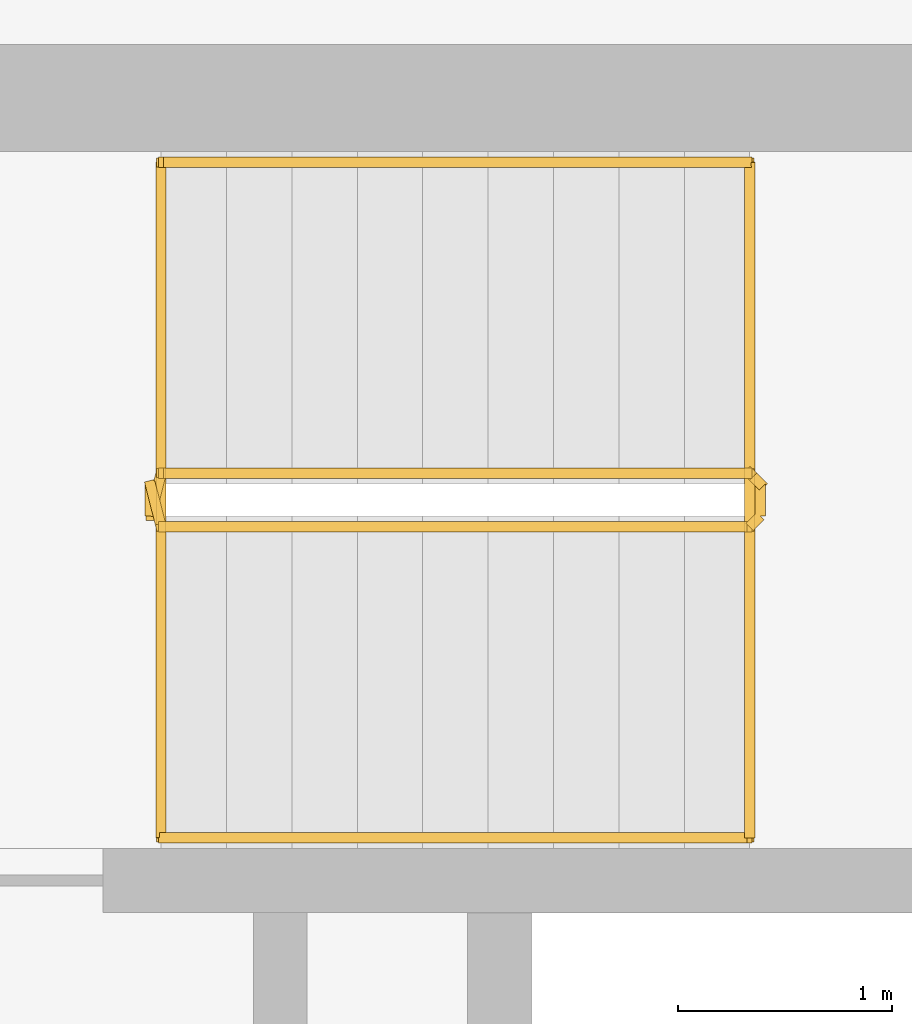
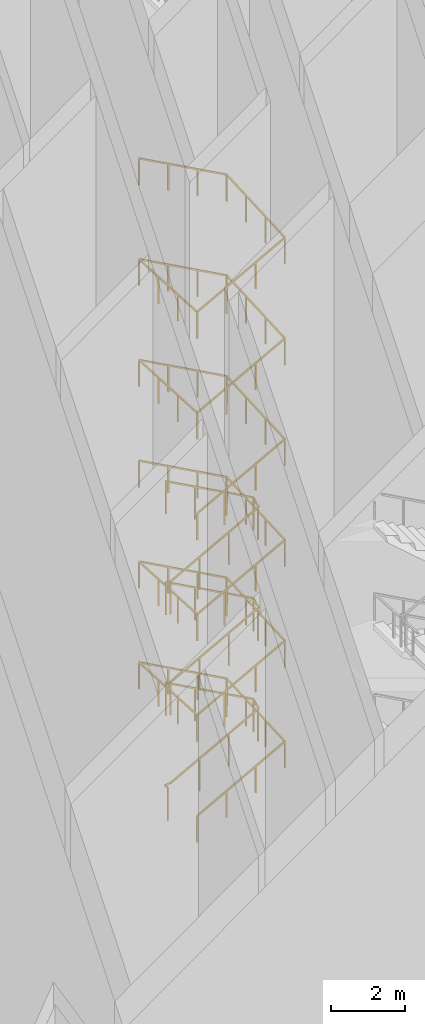
# One storey, part 20 of 26: 3 railings.
"""IFC4 building model written with IfcOpenShell, lengths in metres."""

from ifc_helpers import new_model, si_unit, direction, frame, origin, origin_2d, place, context, subcontext, project, spatial, rectangle, extrude, material, type_object, element, save


model = new_model("IFC4")

# Units and contexts
model_context = context("Model", 3, precision=1e-05, world=origin(), true_north=direction((0.0, 1.0)))
body_context = subcontext(model_context, "Body", "Model", "MODEL_VIEW")
ifc_project = project(units=[si_unit("LENGTHUNIT", "METRE"), si_unit("AREAUNIT", "SQUARE_METRE"), si_unit("VOLUMEUNIT", "CUBIC_METRE"), si_unit("PLANEANGLEUNIT", "RADIAN"), si_unit("MASSUNIT", "GRAM", prefix="KILO")], contexts=[model_context])

# Site, building, storey
site_placement = place(None, origin())
site = spatial("IfcSite", under=ifc_project, at=site_placement, CompositionType="ELEMENT")
building_placement = place(site_placement, origin())
building = spatial("IfcBuilding", under=site, at=building_placement, Name="Noorbagh Ring Tower", CompositionType="ELEMENT")
storey_placement = place(building_placement, frame((0.0, 0.0, 203.5)))
storey = spatial("IfcBuildingStorey", under=building, at=storey_placement, Name="L47", CompositionType="ELEMENT", Elevation=203.5)

# Railings
ifc_material_1 = material(Name="Stainless steel", Category="steel")
railing_type_1 = type_object("IfcRailingType", Name="CORE-STAIR-GUARD", PredefinedType="GUARDRAIL", material=ifc_material_1)
railing_1_placement = place(storey_placement, frame((-21.580078125, 6.300048828125, 0.0)))
element("IfcRailing", 1, at=railing_1_placement, inside=storey, type_object=railing_type_1, Name="L47 ST1 stair guard", PredefinedType="GUARDRAIL", context=body_context, shape_type="SweptSolid", body=[
    extrude(rectangle(XDim=0.048095703125, YDim=0.048095703125, at=origin_2d()), frame((0.0, 0.0, 1.076171875), z_axis=(0.0, 1.0, 0.0), x_axis=(-1.0, 0.0, 0.0)), (0.0, 0.0, 1.0), 0.14990234375),
    extrude(rectangle(XDim=0.048095703125, YDim=0.048095703125, at=origin_2d()), frame((0.0, 0.14990234375, 1.076171875), z_axis=(0.188775798145, -0.754182335027, 0.628945707965), x_axis=(0.970072785993, 0.242814311512, 0.0)), (0.0, 0.0, 1.0), 0.26513671875),
    extrude(rectangle(XDim=0.048095703125, YDim=0.048095703125, at=origin_2d()), frame((0.050048828125, -0.050048828125, 1.24267578125), z_axis=(0.877537414544, 0.0, 0.479508171021), x_axis=(0.0, 1.0, 0.0)), (0.0, 0.0, 1.0), 3.128173828125),
    extrude(rectangle(XDim=0.048095703125, YDim=0.048095703125, at=origin_2d()), frame((2.795166015625, -0.050048828125, 2.74267578125), z_axis=(0.705375805398, 0.708833529934, 0.0), x_axis=(-0.708833529934, 0.705375805398, 0.0)), (0.0, 0.0, 1.0), 0.070556640625),
    extrude(rectangle(XDim=0.048095703125, YDim=0.048095703125, at=origin_2d()), frame((2.844970703125, 0.0, 2.74267578125), z_axis=(0.0, 1.0, 0.0), x_axis=(-1.0, 0.0, 0.0)), (0.0, 0.0, 1.0), 0.14990234375),
    extrude(rectangle(XDim=0.048095703125, YDim=0.048095703125, at=origin_2d()), frame((2.844970703125, 0.14990234375, 2.74267578125), z_axis=(-0.275382897532, 0.276732813696, 0.920642824102), x_axis=(-0.708833529934, -0.705375805398, 0.0)), (0.0, 0.0, 1.0), 0.180908203125),
    extrude(rectangle(XDim=0.048095703125, YDim=0.048095703125, at=origin_2d()), frame((2.795166015625, 0.199951171875, 2.9091796875), z_axis=(-0.877537414544, 0.0, 0.479508171021), x_axis=(0.0, -1.0, 0.0)), (0.0, 0.0, 1.0), 3.128173828125),
    extrude(rectangle(XDim=0.048095703125, YDim=0.048095703125, at=origin_2d()), frame((0.050048828125, 0.199951171875, 4.4091796875), z_axis=(-0.242814311512, -0.970072785993, 0.0), x_axis=(0.970072785993, -0.242814311512, 0.0)), (0.0, 0.0, 1.0), 0.2060546875),
    extrude(rectangle(XDim=0.048095703125, YDim=0.048095703125, at=origin_2d()), frame((0.0, 0.0, 4.4091796875), z_axis=(0.0, 1.0, 0.0), x_axis=(-1.0, 0.0, 0.0)), (0.0, 0.0, 1.0), 0.14990234375),
    extrude(rectangle(XDim=0.048095703125, YDim=0.048095703125, at=origin_2d()), frame((0.0, 0.14990234375, 4.4091796875), z_axis=(0.188775798145, -0.754182335027, 0.628945707965), x_axis=(0.970072785993, 0.242814311512, 0.0)), (0.0, 0.0, 1.0), 0.26513671875),
    extrude(rectangle(XDim=0.048095703125, YDim=0.048095703125, at=origin_2d()), frame((0.050048828125, -0.050048828125, 4.576171875), z_axis=(0.877537414544, 0.0, 0.479508171021), x_axis=(0.0, 1.0, 0.0)), (0.0, 0.0, 1.0), 3.128173828125),
    extrude(rectangle(XDim=0.048095703125, YDim=0.048095703125, at=origin_2d()), frame((2.795166015625, -0.050048828125, 6.076171875), z_axis=(0.705375805398, 0.708833529934, 0.0), x_axis=(-0.708833529934, 0.705375805398, 0.0)), (0.0, 0.0, 1.0), 0.070556640625),
    extrude(rectangle(XDim=0.048095703125, YDim=0.048095703125, at=origin_2d()), frame((2.844970703125, 0.0, 6.076171875), z_axis=(0.0, 1.0, 0.0), x_axis=(-1.0, 0.0, 0.0)), (0.0, 0.0, 1.0), 0.14990234375),
    extrude(rectangle(XDim=0.048095703125, YDim=0.048095703125, at=origin_2d()), frame((2.844970703125, 0.14990234375, 6.076171875), z_axis=(-0.275041040955, 0.276389281352, 0.920848191041), x_axis=(-0.708833529934, -0.705375805398, 0.0)), (0.0, 0.0, 1.0), 0.18115234375),
    extrude(rectangle(XDim=0.048095703125, YDim=0.048095703125, at=origin_2d()), frame((2.795166015625, 0.199951171875, 6.24267578125), z_axis=(-0.877537414544, 0.0, 0.479508171021), x_axis=(0.0, -1.0, 0.0)), (0.0, 0.0, 1.0), 3.128173828125),
    extrude(rectangle(XDim=0.048095703125, YDim=0.048095703125, at=origin_2d()), frame((0.050048828125, 0.199951171875, 7.74267578125), z_axis=(-0.242814311512, -0.970072785993, 0.0), x_axis=(0.970072785993, -0.242814311512, 0.0)), (0.0, 0.0, 1.0), 0.2060546875),
    extrude(rectangle(XDim=0.048095703125, YDim=0.048095703125, at=origin_2d()), frame((0.0, 0.0, 7.74267578125), z_axis=(0.0, 1.0, 0.0), x_axis=(-1.0, 0.0, 0.0)), (0.0, 0.0, 1.0), 0.14990234375),
    extrude(rectangle(XDim=0.048095703125, YDim=0.048095703125, at=origin_2d()), frame((0.0, 0.14990234375, 7.74267578125), z_axis=(0.188885146209, -0.754619193878, 0.628388632753), x_axis=(0.970072785993, 0.242814311512, 0.0)), (0.0, 0.0, 1.0), 0.264892578125),
    extrude(rectangle(XDim=0.048095703125, YDim=0.048095703125, at=origin_2d()), frame((0.050048828125, -0.050048828125, 7.9091796875), z_axis=(0.877537414544, 0.0, 0.479508171021), x_axis=(0.0, 1.0, 0.0)), (0.0, 0.0, 1.0), 3.128173828125),
    extrude(rectangle(XDim=0.048095703125, YDim=0.048095703125, at=origin_2d()), frame((2.795166015625, -0.050048828125, 9.4091796875), z_axis=(0.705375805398, 0.708833529934, 0.0), x_axis=(-0.708833529934, 0.705375805398, 0.0)), (0.0, 0.0, 1.0), 0.070556640625),
    extrude(rectangle(XDim=0.048095703125, YDim=0.048095703125, at=origin_2d()), frame((2.844970703125, 0.0, 9.4091796875), z_axis=(0.0, 1.0, 0.0), x_axis=(-1.0, 0.0, 0.0)), (0.0, 0.0, 1.0), 0.14990234375),
    extrude(rectangle(XDim=0.048095703125, YDim=0.048095703125, at=origin_2d()), frame((2.844970703125, 0.14990234375, 9.4091796875), z_axis=(-0.275041040955, 0.276389281352, 0.920848191041), x_axis=(-0.708833529934, -0.705375805398, 0.0)), (0.0, 0.0, 1.0), 0.18115234375),
    extrude(rectangle(XDim=0.048095703125, YDim=0.048095703125, at=origin_2d()), frame((2.795166015625, 0.199951171875, 9.576171875), z_axis=(-0.877537414544, 0.0, 0.479508171021), x_axis=(0.0, -1.0, 0.0)), (0.0, 0.0, 1.0), 3.128173828125),
    extrude(rectangle(XDim=0.0419921875, YDim=0.0419921875, at=origin_2d()), origin(), (0.0, 0.0, 1.0), 1.052001953125),
    extrude(rectangle(XDim=0.0419921875, YDim=0.0419921875, at=origin_2d()), frame((0.965087890625, -0.050048828125, 0.666748046875)), (0.0, 0.0, 1.0), 1.052001953125),
    extrude(rectangle(XDim=0.0419921875, YDim=0.0419921875, at=origin_2d()), frame((1.880126953125, -0.050048828125, 1.166748046875)), (0.0, 0.0, 1.0), 1.052001953125),
    extrude(rectangle(XDim=0.0419921875, YDim=0.0419921875, at=origin_2d()), frame((2.795166015625, -0.050048828125, 1.666748046875)), (0.0, 0.0, 1.0), 1.052001953125),
    extrude(rectangle(XDim=0.0419921875, YDim=0.0419921875, at=origin_2d()), frame((2.795166015625, 0.199951171875, 1.833251953125)), (0.0, 0.0, 1.0), 1.052001953125),
    extrude(rectangle(XDim=0.0419921875, YDim=0.0419921875, at=origin_2d()), frame((1.880126953125, 0.199951171875, 2.333251953125)), (0.0, 0.0, 1.0), 1.052001953125),
    extrude(rectangle(XDim=0.0419921875, YDim=0.0419921875, at=origin_2d()), frame((0.965087890625, 0.199951171875, 2.833251953125)), (0.0, 0.0, 1.0), 1.052001953125),
    extrude(rectangle(XDim=0.0419921875, YDim=0.0419921875, at=origin_2d()), frame((0.050048828125, 0.199951171875, 3.333251953125)), (0.0, 0.0, 1.0), 1.052001953125),
    extrude(rectangle(XDim=0.0419921875, YDim=0.0419921875, at=origin_2d()), frame((0.050048828125, -0.050048828125, 3.5)), (0.0, 0.0, 1.0), 1.052001953125),
    extrude(rectangle(XDim=0.0419921875, YDim=0.0419921875, at=origin_2d()), frame((0.965087890625, -0.050048828125, 4.0)), (0.0, 0.0, 1.0), 1.052001953125),
    extrude(rectangle(XDim=0.0419921875, YDim=0.0419921875, at=origin_2d()), frame((1.880126953125, -0.050048828125, 4.5)), (0.0, 0.0, 1.0), 1.052001953125),
    extrude(rectangle(XDim=0.0419921875, YDim=0.0419921875, at=origin_2d()), frame((2.795166015625, -0.050048828125, 5.0)), (0.0, 0.0, 1.0), 1.052001953125),
    extrude(rectangle(XDim=0.0419921875, YDim=0.0419921875, at=origin_2d()), frame((2.795166015625, 0.199951171875, 5.166748046875)), (0.0, 0.0, 1.0), 1.052001953125),
    extrude(rectangle(XDim=0.0419921875, YDim=0.0419921875, at=origin_2d()), frame((1.880126953125, 0.199951171875, 5.666748046875)), (0.0, 0.0, 1.0), 1.052001953125),
    extrude(rectangle(XDim=0.0419921875, YDim=0.0419921875, at=origin_2d()), frame((0.965087890625, 0.199951171875, 6.166748046875)), (0.0, 0.0, 1.0), 1.052001953125),
    extrude(rectangle(XDim=0.0419921875, YDim=0.0419921875, at=origin_2d()), frame((0.050048828125, 0.199951171875, 6.666748046875)), (0.0, 0.0, 1.0), 1.052001953125),
    extrude(rectangle(XDim=0.0419921875, YDim=0.0419921875, at=origin_2d()), frame((0.050048828125, -0.050048828125, 6.833251953125)), (0.0, 0.0, 1.0), 1.052001953125),
    extrude(rectangle(XDim=0.0419921875, YDim=0.0419921875, at=origin_2d()), frame((0.965087890625, -0.050048828125, 7.333251953125)), (0.0, 0.0, 1.0), 1.052001953125),
    extrude(rectangle(XDim=0.0419921875, YDim=0.0419921875, at=origin_2d()), frame((1.880126953125, -0.050048828125, 7.833251953125)), (0.0, 0.0, 1.0), 1.052001953125),
    extrude(rectangle(XDim=0.0419921875, YDim=0.0419921875, at=origin_2d()), frame((2.795166015625, -0.050048828125, 8.333251953125)), (0.0, 0.0, 1.0), 1.052001953125),
    extrude(rectangle(XDim=0.0419921875, YDim=0.0419921875, at=origin_2d()), frame((2.795166015625, 0.199951171875, 8.5)), (0.0, 0.0, 1.0), 1.052001953125),
    extrude(rectangle(XDim=0.0419921875, YDim=0.0419921875, at=origin_2d()), frame((1.880126953125, 0.199951171875, 9.0)), (0.0, 0.0, 1.0), 1.052001953125),
    extrude(rectangle(XDim=0.0419921875, YDim=0.0419921875, at=origin_2d()), frame((0.965087890625, 0.199951171875, 9.5)), (0.0, 0.0, 1.0), 1.052001953125),
    extrude(rectangle(XDim=0.0419921875, YDim=0.0419921875, at=origin_2d()), frame((0.050048828125, 0.199951171875, 10.0)), (0.0, 0.0, 1.0), 1.052001953125),
])
ifc_material_2 = material(Name="Stainless steel", Category="steel")
railing_type_2 = type_object("IfcRailingType", Name="CORE-STAIR-HANDRAIL", PredefinedType="HANDRAIL", material=ifc_material_2)
railing_2_placement = place(storey_placement, frame((-21.530029296875, 4.800048828125, 0.166748046875)))
element("IfcRailing", 2, at=railing_2_placement, inside=storey, type_object=railing_type_2, Name="L47 ST1 stair handrail", PredefinedType="HANDRAIL", context=body_context, shape_type="SweptSolid", body=[
    extrude(rectangle(XDim=0.048095703125, YDim=0.048095703125, at=origin_2d()), frame((0.0, 0.0, 0.8759765625), z_axis=(0.877537414544, 0.0, 0.479508171021), x_axis=(0.0, 1.0, 0.0)), (0.0, 0.0, 1.0), 3.128173828125),
    extrude(rectangle(XDim=0.048095703125, YDim=0.048095703125, at=origin_2d()), frame((2.7451171875, 0.0, 2.3759765625), z_axis=(0.0, 0.998605830047, 0.052786325848), x_axis=(-1.0, 0.0, 0.0)), (0.0, 0.0, 1.0), 3.154296875),
    extrude(rectangle(XDim=0.048095703125, YDim=0.048095703125, at=origin_2d()), frame((2.7451171875, 3.14990234375, 2.54248046875), z_axis=(-0.877537414544, 0.0, 0.479508171021), x_axis=(0.0, -1.0, 0.0)), (0.0, 0.0, 1.0), 3.128173828125),
    extrude(rectangle(XDim=0.048095703125, YDim=0.048095703125, at=origin_2d()), frame((0.0, 3.14990234375, 4.04248046875), z_axis=(0.0, -0.998601747152, 0.052863509014), x_axis=(1.0, 0.0, 0.0)), (0.0, 0.0, 1.0), 3.154296875),
    extrude(rectangle(XDim=0.048095703125, YDim=0.048095703125, at=origin_2d()), frame((0.0, 0.0, 4.208984375), z_axis=(0.877537414544, 0.0, 0.479508171021), x_axis=(0.0, 1.0, 0.0)), (0.0, 0.0, 1.0), 3.128173828125),
    extrude(rectangle(XDim=0.048095703125, YDim=0.048095703125, at=origin_2d()), frame((2.7451171875, 0.0, 5.708984375), z_axis=(0.0, 0.998601747152, 0.052863509014), x_axis=(-1.0, 0.0, 0.0)), (0.0, 0.0, 1.0), 3.154296875),
    extrude(rectangle(XDim=0.048095703125, YDim=0.048095703125, at=origin_2d()), frame((2.7451171875, 3.14990234375, 5.8759765625), z_axis=(-0.877537414544, 0.0, 0.479508171021), x_axis=(0.0, -1.0, 0.0)), (0.0, 0.0, 1.0), 3.128173828125),
    extrude(rectangle(XDim=0.048095703125, YDim=0.048095703125, at=origin_2d()), frame((0.0, 3.14990234375, 7.3759765625), z_axis=(0.0, -0.998605830047, 0.052786325848), x_axis=(1.0, 0.0, 0.0)), (0.0, 0.0, 1.0), 3.154296875),
    extrude(rectangle(XDim=0.048095703125, YDim=0.048095703125, at=origin_2d()), frame((0.0, 0.0, 7.54248046875), z_axis=(0.877537414544, 0.0, 0.479508171021), x_axis=(0.0, 1.0, 0.0)), (0.0, 0.0, 1.0), 3.128173828125),
    extrude(rectangle(XDim=0.048095703125, YDim=0.048095703125, at=origin_2d()), frame((2.7451171875, 0.0, 9.04248046875), z_axis=(0.0, 0.998601747152, 0.052863509014), x_axis=(-1.0, 0.0, 0.0)), (0.0, 0.0, 1.0), 3.154296875),
    extrude(rectangle(XDim=0.048095703125, YDim=0.048095703125, at=origin_2d()), frame((2.7451171875, 3.14990234375, 9.208984375), z_axis=(-0.877537414544, 0.0, 0.479508171021), x_axis=(0.0, -1.0, 0.0)), (0.0, 0.0, 1.0), 3.128173828125),
    extrude(rectangle(XDim=0.0419921875, YDim=0.0419921875, at=origin_2d()), origin(), (0.0, 0.0, 1.0), 0.851806640625),
    extrude(rectangle(XDim=0.0419921875, YDim=0.0419921875, at=origin_2d()), frame((0.9150390625, 0.0, 0.5)), (0.0, 0.0, 1.0), 0.851806640625),
    extrude(rectangle(XDim=0.0419921875, YDim=0.0419921875, at=origin_2d()), frame((1.830078125, 0.0, 1.0)), (0.0, 0.0, 1.0), 0.851806640625),
    extrude(rectangle(XDim=0.0419921875, YDim=0.0419921875, at=origin_2d()), frame((2.7451171875, 0.0, 1.5)), (0.0, 0.0, 1.0), 0.851806640625),
    extrude(rectangle(XDim=0.0419921875, YDim=0.0419921875, at=origin_2d()), frame((2.7451171875, 1.050048828125, 1.555419921875)), (0.0, 0.0, 1.0), 0.851806640625),
    extrude(rectangle(XDim=0.0419921875, YDim=0.0419921875, at=origin_2d()), frame((2.7451171875, 2.099853515625, 1.611083984375)), (0.0, 0.0, 1.0), 0.851806640625),
    extrude(rectangle(XDim=0.0419921875, YDim=0.0419921875, at=origin_2d()), frame((2.7451171875, 3.14990234375, 1.66650390625)), (0.0, 0.0, 1.0), 0.851806640625),
    extrude(rectangle(XDim=0.0419921875, YDim=0.0419921875, at=origin_2d()), frame((1.830078125, 3.14990234375, 2.16650390625)), (0.0, 0.0, 1.0), 0.851806640625),
    extrude(rectangle(XDim=0.0419921875, YDim=0.0419921875, at=origin_2d()), frame((0.9150390625, 3.14990234375, 2.66650390625)), (0.0, 0.0, 1.0), 0.851806640625),
    extrude(rectangle(XDim=0.0419921875, YDim=0.0419921875, at=origin_2d()), frame((0.0, 3.14990234375, 3.16650390625)), (0.0, 0.0, 1.0), 0.851806640625),
    extrude(rectangle(XDim=0.0419921875, YDim=0.0419921875, at=origin_2d()), frame((0.0, 2.099853515625, 3.22216796875)), (0.0, 0.0, 1.0), 0.851806640625),
    extrude(rectangle(XDim=0.0419921875, YDim=0.0419921875, at=origin_2d()), frame((0.0, 1.050048828125, 3.277587890625)), (0.0, 0.0, 1.0), 0.851806640625),
    extrude(rectangle(XDim=0.0419921875, YDim=0.0419921875, at=origin_2d()), frame((0.0, 0.0, 3.333251953125)), (0.0, 0.0, 1.0), 0.851806640625),
    extrude(rectangle(XDim=0.0419921875, YDim=0.0419921875, at=origin_2d()), frame((0.9150390625, 0.0, 3.833251953125)), (0.0, 0.0, 1.0), 0.851806640625),
    extrude(rectangle(XDim=0.0419921875, YDim=0.0419921875, at=origin_2d()), frame((1.830078125, 0.0, 4.333251953125)), (0.0, 0.0, 1.0), 0.851806640625),
    extrude(rectangle(XDim=0.0419921875, YDim=0.0419921875, at=origin_2d()), frame((2.7451171875, 0.0, 4.833251953125)), (0.0, 0.0, 1.0), 0.851806640625),
    extrude(rectangle(XDim=0.0419921875, YDim=0.0419921875, at=origin_2d()), frame((2.7451171875, 1.050048828125, 4.888916015625)), (0.0, 0.0, 1.0), 0.851806640625),
    extrude(rectangle(XDim=0.0419921875, YDim=0.0419921875, at=origin_2d()), frame((2.7451171875, 2.099853515625, 4.9443359375)), (0.0, 0.0, 1.0), 0.851806640625),
    extrude(rectangle(XDim=0.0419921875, YDim=0.0419921875, at=origin_2d()), frame((2.7451171875, 3.14990234375, 5.0)), (0.0, 0.0, 1.0), 0.851806640625),
    extrude(rectangle(XDim=0.0419921875, YDim=0.0419921875, at=origin_2d()), frame((1.830078125, 3.14990234375, 5.5)), (0.0, 0.0, 1.0), 0.851806640625),
    extrude(rectangle(XDim=0.0419921875, YDim=0.0419921875, at=origin_2d()), frame((0.9150390625, 3.14990234375, 6.0)), (0.0, 0.0, 1.0), 0.851806640625),
    extrude(rectangle(XDim=0.0419921875, YDim=0.0419921875, at=origin_2d()), frame((0.0, 3.14990234375, 6.5)), (0.0, 0.0, 1.0), 0.851806640625),
    extrude(rectangle(XDim=0.0419921875, YDim=0.0419921875, at=origin_2d()), frame((0.0, 2.099853515625, 6.555419921875)), (0.0, 0.0, 1.0), 0.851806640625),
    extrude(rectangle(XDim=0.0419921875, YDim=0.0419921875, at=origin_2d()), frame((0.0, 1.050048828125, 6.611083984375)), (0.0, 0.0, 1.0), 0.851806640625),
    extrude(rectangle(XDim=0.0419921875, YDim=0.0419921875, at=origin_2d()), frame((0.0, 0.0, 6.66650390625)), (0.0, 0.0, 1.0), 0.851806640625),
    extrude(rectangle(XDim=0.0419921875, YDim=0.0419921875, at=origin_2d()), frame((0.9150390625, 0.0, 7.16650390625)), (0.0, 0.0, 1.0), 0.851806640625),
    extrude(rectangle(XDim=0.0419921875, YDim=0.0419921875, at=origin_2d()), frame((1.830078125, 0.0, 7.66650390625)), (0.0, 0.0, 1.0), 0.851806640625),
    extrude(rectangle(XDim=0.0419921875, YDim=0.0419921875, at=origin_2d()), frame((2.7451171875, 0.0, 8.16650390625)), (0.0, 0.0, 1.0), 0.851806640625),
    extrude(rectangle(XDim=0.0419921875, YDim=0.0419921875, at=origin_2d()), frame((2.7451171875, 1.050048828125, 8.22216796875)), (0.0, 0.0, 1.0), 0.851806640625),
    extrude(rectangle(XDim=0.0419921875, YDim=0.0419921875, at=origin_2d()), frame((2.7451171875, 2.099853515625, 8.277587890625)), (0.0, 0.0, 1.0), 0.851806640625),
    extrude(rectangle(XDim=0.0419921875, YDim=0.0419921875, at=origin_2d()), frame((2.7451171875, 3.14990234375, 8.333251953125)), (0.0, 0.0, 1.0), 0.851806640625),
    extrude(rectangle(XDim=0.0419921875, YDim=0.0419921875, at=origin_2d()), frame((1.830078125, 3.14990234375, 8.833251953125)), (0.0, 0.0, 1.0), 0.851806640625),
    extrude(rectangle(XDim=0.0419921875, YDim=0.0419921875, at=origin_2d()), frame((0.9150390625, 3.14990234375, 9.333251953125)), (0.0, 0.0, 1.0), 0.851806640625),
    extrude(rectangle(XDim=0.0419921875, YDim=0.0419921875, at=origin_2d()), frame((0.0, 3.14990234375, 9.833251953125)), (0.0, 0.0, 1.0), 0.851806640625),
])
railing_3_placement = place(storey_placement, frame((-21.530029296875, 4.800048828125, 10.166748046875)))
element("IfcRailing", 3, at=railing_3_placement, inside=storey, type_object=railing_type_2, Name="L47b ST1 stair handrail", PredefinedType="HANDRAIL", context=body_context, shape_type="SweptSolid", body=[
    extrude(rectangle(XDim=0.048095703125, YDim=0.048095703125, at=origin_2d()), frame((0.0, 0.0, 0.8759765625), z_axis=(0.877537414544, 0.0, 0.479508171021), x_axis=(0.0, 1.0, 0.0)), (0.0, 0.0, 1.0), 3.128173828125),
    extrude(rectangle(XDim=0.048095703125, YDim=0.048095703125, at=origin_2d()), frame((2.7451171875, 0.0, 2.3759765625), z_axis=(0.0, 0.998605830047, 0.052786325848), x_axis=(-1.0, 0.0, 0.0)), (0.0, 0.0, 1.0), 3.154296875),
    extrude(rectangle(XDim=0.048095703125, YDim=0.048095703125, at=origin_2d()), frame((2.7451171875, 3.14990234375, 2.54248046875), z_axis=(-0.877537414544, 0.0, 0.479508171021), x_axis=(0.0, -1.0, 0.0)), (0.0, 0.0, 1.0), 3.128173828125),
    extrude(rectangle(XDim=0.048095703125, YDim=0.048095703125, at=origin_2d()), frame((0.0, 3.14990234375, 4.04248046875), z_axis=(0.0, -0.998601747152, 0.052863509014), x_axis=(1.0, 0.0, 0.0)), (0.0, 0.0, 1.0), 3.154296875),
    extrude(rectangle(XDim=0.048095703125, YDim=0.048095703125, at=origin_2d()), frame((0.0, 0.0, 4.208984375), z_axis=(0.877537414544, 0.0, 0.479508171021), x_axis=(0.0, 1.0, 0.0)), (0.0, 0.0, 1.0), 3.128173828125),
    extrude(rectangle(XDim=0.048095703125, YDim=0.048095703125, at=origin_2d()), frame((2.7451171875, 0.0, 5.708984375), z_axis=(0.0, 0.998601747152, 0.052863509014), x_axis=(-1.0, 0.0, 0.0)), (0.0, 0.0, 1.0), 3.154296875),
    extrude(rectangle(XDim=0.048095703125, YDim=0.048095703125, at=origin_2d()), frame((2.7451171875, 3.14990234375, 5.8759765625), z_axis=(-0.877537414544, 0.0, 0.479508171021), x_axis=(0.0, -1.0, 0.0)), (0.0, 0.0, 1.0), 3.128173828125),
    extrude(rectangle(XDim=0.048095703125, YDim=0.048095703125, at=origin_2d()), frame((0.0, 3.14990234375, 7.3759765625), z_axis=(0.0, -0.998605830047, 0.052786325848), x_axis=(1.0, 0.0, 0.0)), (0.0, 0.0, 1.0), 3.154296875),
    extrude(rectangle(XDim=0.048095703125, YDim=0.048095703125, at=origin_2d()), frame((0.0, 0.0, 7.54248046875), z_axis=(0.877537414544, 0.0, 0.479508171021), x_axis=(0.0, 1.0, 0.0)), (0.0, 0.0, 1.0), 3.128173828125),
    extrude(rectangle(XDim=0.048095703125, YDim=0.048095703125, at=origin_2d()), frame((2.7451171875, 0.0, 9.04248046875), z_axis=(0.0, 0.998601747152, 0.052863509014), x_axis=(-1.0, 0.0, 0.0)), (0.0, 0.0, 1.0), 3.154296875),
    extrude(rectangle(XDim=0.048095703125, YDim=0.048095703125, at=origin_2d()), frame((2.7451171875, 3.14990234375, 9.208984375), z_axis=(-0.877537414544, 0.0, 0.479508171021), x_axis=(0.0, -1.0, 0.0)), (0.0, 0.0, 1.0), 3.128173828125),
    extrude(rectangle(XDim=0.0419921875, YDim=0.0419921875, at=origin_2d()), origin(), (0.0, 0.0, 1.0), 0.851806640625),
    extrude(rectangle(XDim=0.0419921875, YDim=0.0419921875, at=origin_2d()), frame((0.9150390625, 0.0, 0.5)), (0.0, 0.0, 1.0), 0.851806640625),
    extrude(rectangle(XDim=0.0419921875, YDim=0.0419921875, at=origin_2d()), frame((1.830078125, 0.0, 1.0)), (0.0, 0.0, 1.0), 0.851806640625),
    extrude(rectangle(XDim=0.0419921875, YDim=0.0419921875, at=origin_2d()), frame((2.7451171875, 0.0, 1.5)), (0.0, 0.0, 1.0), 0.851806640625),
    extrude(rectangle(XDim=0.0419921875, YDim=0.0419921875, at=origin_2d()), frame((2.7451171875, 1.050048828125, 1.555419921875)), (0.0, 0.0, 1.0), 0.851806640625),
    extrude(rectangle(XDim=0.0419921875, YDim=0.0419921875, at=origin_2d()), frame((2.7451171875, 2.099853515625, 1.611083984375)), (0.0, 0.0, 1.0), 0.851806640625),
    extrude(rectangle(XDim=0.0419921875, YDim=0.0419921875, at=origin_2d()), frame((2.7451171875, 3.14990234375, 1.66650390625)), (0.0, 0.0, 1.0), 0.851806640625),
    extrude(rectangle(XDim=0.0419921875, YDim=0.0419921875, at=origin_2d()), frame((1.830078125, 3.14990234375, 2.16650390625)), (0.0, 0.0, 1.0), 0.851806640625),
    extrude(rectangle(XDim=0.0419921875, YDim=0.0419921875, at=origin_2d()), frame((0.9150390625, 3.14990234375, 2.66650390625)), (0.0, 0.0, 1.0), 0.851806640625),
    extrude(rectangle(XDim=0.0419921875, YDim=0.0419921875, at=origin_2d()), frame((0.0, 3.14990234375, 3.16650390625)), (0.0, 0.0, 1.0), 0.851806640625),
    extrude(rectangle(XDim=0.0419921875, YDim=0.0419921875, at=origin_2d()), frame((0.0, 2.099853515625, 3.22216796875)), (0.0, 0.0, 1.0), 0.851806640625),
    extrude(rectangle(XDim=0.0419921875, YDim=0.0419921875, at=origin_2d()), frame((0.0, 1.050048828125, 3.277587890625)), (0.0, 0.0, 1.0), 0.851806640625),
    extrude(rectangle(XDim=0.0419921875, YDim=0.0419921875, at=origin_2d()), frame((0.0, 0.0, 3.333251953125)), (0.0, 0.0, 1.0), 0.851806640625),
    extrude(rectangle(XDim=0.0419921875, YDim=0.0419921875, at=origin_2d()), frame((0.9150390625, 0.0, 3.833251953125)), (0.0, 0.0, 1.0), 0.851806640625),
    extrude(rectangle(XDim=0.0419921875, YDim=0.0419921875, at=origin_2d()), frame((1.830078125, 0.0, 4.333251953125)), (0.0, 0.0, 1.0), 0.851806640625),
    extrude(rectangle(XDim=0.0419921875, YDim=0.0419921875, at=origin_2d()), frame((2.7451171875, 0.0, 4.833251953125)), (0.0, 0.0, 1.0), 0.851806640625),
    extrude(rectangle(XDim=0.0419921875, YDim=0.0419921875, at=origin_2d()), frame((2.7451171875, 1.050048828125, 4.888916015625)), (0.0, 0.0, 1.0), 0.851806640625),
    extrude(rectangle(XDim=0.0419921875, YDim=0.0419921875, at=origin_2d()), frame((2.7451171875, 2.099853515625, 4.9443359375)), (0.0, 0.0, 1.0), 0.851806640625),
    extrude(rectangle(XDim=0.0419921875, YDim=0.0419921875, at=origin_2d()), frame((2.7451171875, 3.14990234375, 5.0)), (0.0, 0.0, 1.0), 0.851806640625),
    extrude(rectangle(XDim=0.0419921875, YDim=0.0419921875, at=origin_2d()), frame((1.830078125, 3.14990234375, 5.5)), (0.0, 0.0, 1.0), 0.851806640625),
    extrude(rectangle(XDim=0.0419921875, YDim=0.0419921875, at=origin_2d()), frame((0.9150390625, 3.14990234375, 6.0)), (0.0, 0.0, 1.0), 0.851806640625),
    extrude(rectangle(XDim=0.0419921875, YDim=0.0419921875, at=origin_2d()), frame((0.0, 3.14990234375, 6.5)), (0.0, 0.0, 1.0), 0.851806640625),
    extrude(rectangle(XDim=0.0419921875, YDim=0.0419921875, at=origin_2d()), frame((0.0, 2.099853515625, 6.555419921875)), (0.0, 0.0, 1.0), 0.851806640625),
    extrude(rectangle(XDim=0.0419921875, YDim=0.0419921875, at=origin_2d()), frame((0.0, 1.050048828125, 6.611083984375)), (0.0, 0.0, 1.0), 0.851806640625),
    extrude(rectangle(XDim=0.0419921875, YDim=0.0419921875, at=origin_2d()), frame((0.0, 0.0, 6.66650390625)), (0.0, 0.0, 1.0), 0.851806640625),
    extrude(rectangle(XDim=0.0419921875, YDim=0.0419921875, at=origin_2d()), frame((0.9150390625, 0.0, 7.16650390625)), (0.0, 0.0, 1.0), 0.851806640625),
    extrude(rectangle(XDim=0.0419921875, YDim=0.0419921875, at=origin_2d()), frame((1.830078125, 0.0, 7.66650390625)), (0.0, 0.0, 1.0), 0.851806640625),
    extrude(rectangle(XDim=0.0419921875, YDim=0.0419921875, at=origin_2d()), frame((2.7451171875, 0.0, 8.16650390625)), (0.0, 0.0, 1.0), 0.851806640625),
    extrude(rectangle(XDim=0.0419921875, YDim=0.0419921875, at=origin_2d()), frame((2.7451171875, 1.050048828125, 8.22216796875)), (0.0, 0.0, 1.0), 0.851806640625),
    extrude(rectangle(XDim=0.0419921875, YDim=0.0419921875, at=origin_2d()), frame((2.7451171875, 2.099853515625, 8.277587890625)), (0.0, 0.0, 1.0), 0.851806640625),
    extrude(rectangle(XDim=0.0419921875, YDim=0.0419921875, at=origin_2d()), frame((2.7451171875, 3.14990234375, 8.333251953125)), (0.0, 0.0, 1.0), 0.851806640625),
    extrude(rectangle(XDim=0.0419921875, YDim=0.0419921875, at=origin_2d()), frame((1.830078125, 3.14990234375, 8.833251953125)), (0.0, 0.0, 1.0), 0.851806640625),
    extrude(rectangle(XDim=0.0419921875, YDim=0.0419921875, at=origin_2d()), frame((0.9150390625, 3.14990234375, 9.333251953125)), (0.0, 0.0, 1.0), 0.851806640625),
    extrude(rectangle(XDim=0.0419921875, YDim=0.0419921875, at=origin_2d()), frame((0.0, 3.14990234375, 9.833251953125)), (0.0, 0.0, 1.0), 0.851806640625),
])

save(model, "model.ifc")
